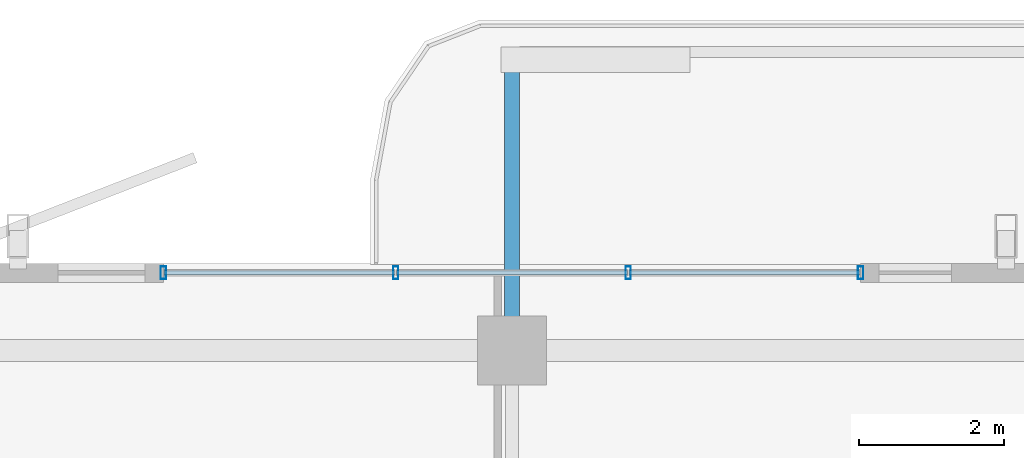
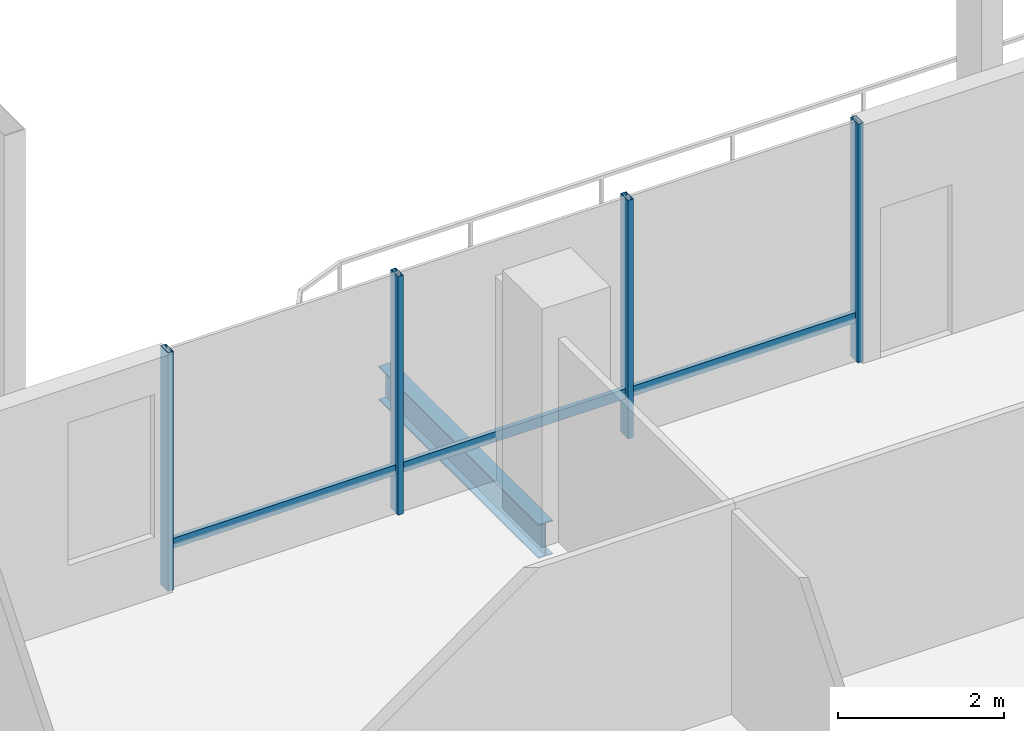
# One storey, part 11 of 20: 7 members, 1 beam, 1 element without a shape of its own.
"""IFC4 building model written with IfcOpenShell, lengths in metres."""

from ifc_helpers import new_model, si_unit, direction, frame, origin, origin_2d, place, context, subcontext, project, spatial, hollow_rectangle, i_section, extrude, material, layer, layer_set, material_profile, profile_set, type_object, element, aggregate, save


model = new_model("IFC4")

# Units and contexts
model_context = context("Model", 3, precision=1e-05, world=origin(), true_north=direction((0.0, 1.0)))
body_context = subcontext(model_context, "Body", "Model", "MODEL_VIEW")
ifc_project = project(units=[si_unit("LENGTHUNIT", "METRE"), si_unit("AREAUNIT", "SQUARE_METRE"), si_unit("VOLUMEUNIT", "CUBIC_METRE"), si_unit("PLANEANGLEUNIT", "RADIAN"), si_unit("MASSUNIT", "GRAM", prefix="KILO")], contexts=[model_context])

# Site, building, storey
site_placement = place(None, origin())
site = spatial("IfcSite", under=ifc_project, at=site_placement, CompositionType="ELEMENT")
building_placement = place(site_placement, origin())
building = spatial("IfcBuilding", under=site, at=building_placement, Name="Belovzor Exchange Tower", CompositionType="ELEMENT")
storey_placement = place(building_placement, frame((0.0, 0.0, 314.25)))
storey = spatial("IfcBuildingStorey", under=building, at=storey_placement, Name="L78", CompositionType="ELEMENT", Elevation=314.25)

# Beam
ifc_material_1 = material(Name="Steel S355", Category="steel")
ifc_material_profile_1 = material_profile(ifc_material_1, i_section(OverallWidth=0.199951171875, OverallDepth=0.5, WebThickness=0.01025390625, FlangeThickness=0.01611328125, at=origin_2d()))
ifc_profile_set_1 = profile_set([ifc_material_profile_1], Name="Steel S355")
beam_type = type_object("IfcBeamType", Name="Planted Balcony Cantilever Beam IPE 500", PredefinedType="BEAM", material=ifc_profile_set_1)
beam_placement = place(storey_placement, frame((28.800048828125, 50.660888671875, -0.489990234375), z_axis=(0.0, 1.0, 0.0), x_axis=(-1.0, 0.0, 0.0)))
element("IfcBeam", 1, at=beam_placement, inside=storey, type_object=beam_type, Name="BC-500 Planted Balcony Cantilever Beam IPE 500", PredefinedType="BEAM", context=body_context, shape_type="SweptSolid", body=[
    extrude(i_section(OverallWidth=0.199951171875, OverallDepth=0.5, WebThickness=0.01025390625, FlangeThickness=0.01611328125, at=origin_2d()), origin(), (0.0, 0.0, 1.0), 3.85009765625),
])

# Curtain wall, members
ifc_material_2 = material(Name="Anodised Aluminium Framing", Category="aluminium")
ifc_layer = layer(ifc_material_2, 0.179931640625)
ifc_layer_set = layer_set([ifc_layer], Name="Anodised Aluminium Framing")
curtain_wall_type = type_object("IfcCurtainWallType", Name="Recessed Loggia Low-Iron Triple-Glazed Curtain Wall", PredefinedType="NOTDEFINED", material=ifc_layer_set)
curtain_wall_placement = place(storey_placement, origin())
curtain_wall = element("IfcCurtainWall", 2, at=curtain_wall_placement, inside=storey, type_object=curtain_wall_type, Name="CW3 Recessed Loggia Low-Iron Triple-Glazed Curtain Wall L78", PredefinedType="NOTDEFINED")
ifc_material_3 = material(Name="Steel S355", Category="steel")
ifc_material_profile_2 = material_profile(ifc_material_3, hollow_rectangle(XDim=0.074951171875, YDim=0.179931640625, WallThickness=0.0048828125, at=origin_2d()))
ifc_profile_set_2 = profile_set([ifc_material_profile_2], Name="Steel S355")
member_type_1 = type_object("IfcMemberType", Name="Thermally Broken Curtain Wall Mullion 180x75", PredefinedType="MULLION", material=ifc_profile_set_2)
member_1_placement = place(storey_placement, frame((24.0, 51.469970703125, 0.0), z_axis=(0.0, 0.0, 1.0), x_axis=(1.0, 0.0, 0.0)))
member_1 = element("IfcMember", 3, at=member_1_placement, type_object=member_type_1, Name="CW-M180 Curtain Wall Mullion 1", PredefinedType="MULLION", context=body_context, shape_type="SweptSolid", body=[
    extrude(hollow_rectangle(XDim=0.074951171875, YDim=0.179931640625, WallThickness=0.0048828125, at=origin_2d()), origin(), (0.0, 0.0, 1.0), 3.510009765625),
])
member_2_placement = place(storey_placement, frame((27.199951171875, 51.469970703125, 0.0), z_axis=(0.0, 0.0, 1.0), x_axis=(1.0, 0.0, 0.0)))
member_2 = element("IfcMember", 4, at=member_2_placement, type_object=member_type_1, Name="CW-M180 Curtain Wall Mullion 2", PredefinedType="MULLION", context=body_context, shape_type="SweptSolid", body=[
    extrude(hollow_rectangle(XDim=0.074951171875, YDim=0.179931640625, WallThickness=0.0048828125, at=origin_2d()), origin(), (0.0, 0.0, 1.0), 3.510009765625),
])
member_3_placement = place(storey_placement, frame((30.39990234375, 51.469970703125, 0.0), z_axis=(0.0, 0.0, 1.0), x_axis=(1.0, 0.0, 0.0)))
member_3 = element("IfcMember", 5, at=member_3_placement, type_object=member_type_1, Name="CW-M180 Curtain Wall Mullion 3", PredefinedType="MULLION", context=body_context, shape_type="SweptSolid", body=[
    extrude(hollow_rectangle(XDim=0.074951171875, YDim=0.179931640625, WallThickness=0.0048828125, at=origin_2d()), origin(), (0.0, 0.0, 1.0), 3.510009765625),
])
member_4_placement = place(storey_placement, frame((33.60009765625, 51.469970703125, 0.0), z_axis=(0.0, 0.0, 1.0), x_axis=(1.0, 0.0, 0.0)))
member_4 = element("IfcMember", 6, at=member_4_placement, type_object=member_type_1, Name="CW-M180 Curtain Wall Mullion 4", PredefinedType="MULLION", context=body_context, shape_type="SweptSolid", body=[
    extrude(hollow_rectangle(XDim=0.074951171875, YDim=0.179931640625, WallThickness=0.0048828125, at=origin_2d()), origin(), (0.0, 0.0, 1.0), 3.510009765625),
])
ifc_material_4 = material(Name="Steel S355", Category="steel")
ifc_material_profile_3 = material_profile(ifc_material_4, hollow_rectangle(XDim=0.06005859375, YDim=0.14990234375, WallThickness=0.00390625, at=origin_2d()))
ifc_profile_set_3 = profile_set([ifc_material_profile_3], Name="Steel S355")
member_type_2 = type_object("IfcMemberType", Name="Thermally Broken Curtain Wall Transom 150x60", PredefinedType="USERDEFINED", material=ifc_profile_set_3)
member_5_placement = place(storey_placement, frame((24.008056640625, 51.469970703125, 0.632080078125), z_axis=(1.0, 0.0, 0.0), x_axis=(0.0, 1.0, 0.0)))
member_5 = element("IfcMember", 7, at=member_5_placement, type_object=member_type_2, Name="CW-T150 Curtain Wall Transom 1", ObjectType="TRANSOM", PredefinedType="USERDEFINED", context=body_context, shape_type="SweptSolid", body=[
    extrude(hollow_rectangle(XDim=0.06005859375, YDim=0.14990234375, WallThickness=0.00390625, at=origin_2d()), origin(), (0.0, 0.0, 1.0), 3.183837890625),
])
member_6_placement = place(storey_placement, frame((27.2080078125, 51.469970703125, 0.632080078125), z_axis=(1.0, 0.0, 0.0), x_axis=(0.0, 1.0, 0.0)))
member_6 = element("IfcMember", 8, at=member_6_placement, type_object=member_type_2, Name="CW-T150 Curtain Wall Transom 2", ObjectType="TRANSOM", PredefinedType="USERDEFINED", context=body_context, shape_type="SweptSolid", body=[
    extrude(hollow_rectangle(XDim=0.06005859375, YDim=0.14990234375, WallThickness=0.00390625, at=origin_2d()), origin(), (0.0, 0.0, 1.0), 3.18408203125),
])
member_7_placement = place(storey_placement, frame((30.407958984375, 51.469970703125, 0.632080078125), z_axis=(1.0, 0.0, 0.0), x_axis=(0.0, 1.0, 0.0)))
member_7 = element("IfcMember", 9, at=member_7_placement, type_object=member_type_2, Name="CW-T150 Curtain Wall Transom 3", ObjectType="TRANSOM", PredefinedType="USERDEFINED", context=body_context, shape_type="SweptSolid", body=[
    extrude(hollow_rectangle(XDim=0.06005859375, YDim=0.14990234375, WallThickness=0.00390625, at=origin_2d()), origin(), (0.0, 0.0, 1.0), 3.18408203125),
])
aggregate(curtain_wall, [member_1, member_2, member_3, member_4, member_5, member_6, member_7])

save(model, "model.ifc")
